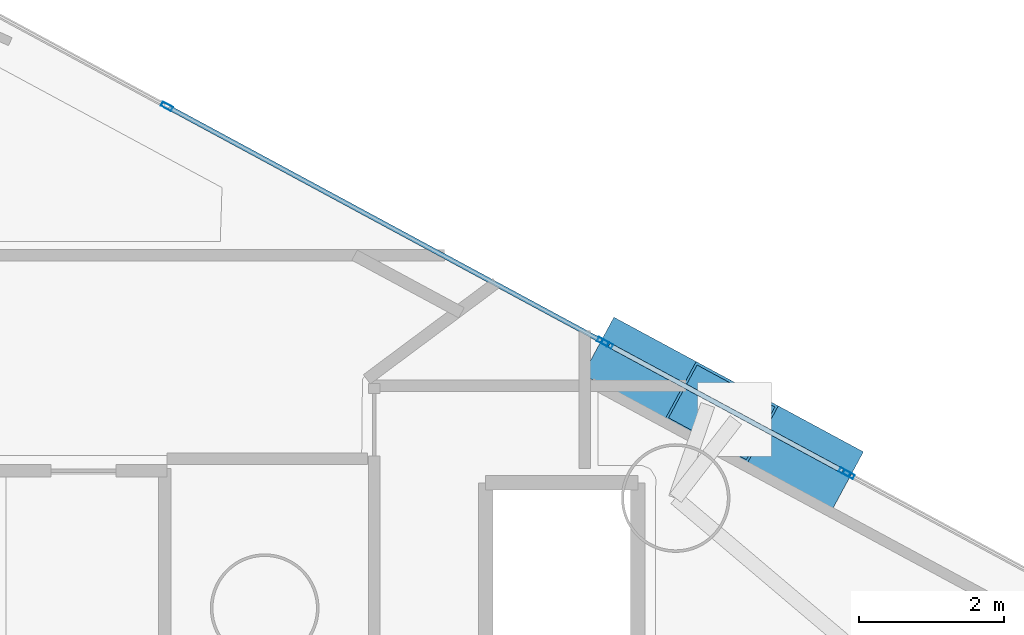
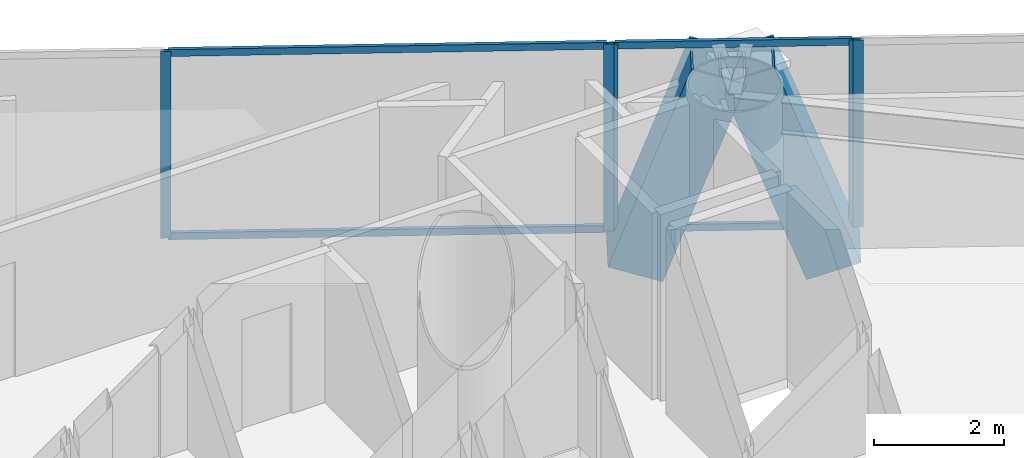
# One storey, part 11 of 21: 11 members, 3 elements without a shape of their own.
"""IFC4 building model written with IfcOpenShell, lengths in metres."""

from ifc_helpers import new_model, si_unit, direction, frame, origin, origin_2d, place, context, subcontext, project, spatial, hollow_rectangle, extrude, material, layer, layer_set, material_profile, profile_set, type_object, element, aggregate, save


model = new_model("IFC4")

# Units and contexts
model_context = context("Model", 3, precision=1e-05, world=origin(), true_north=direction((0.0, 1.0)))
body_context = subcontext(model_context, "Body", "Model", "MODEL_VIEW")
ifc_project = project(units=[si_unit("LENGTHUNIT", "METRE"), si_unit("AREAUNIT", "SQUARE_METRE"), si_unit("VOLUMEUNIT", "CUBIC_METRE"), si_unit("PLANEANGLEUNIT", "RADIAN"), si_unit("MASSUNIT", "GRAM", prefix="KILO")], contexts=[model_context])

# Site, building, storey
site_placement = place(None, origin())
site = spatial("IfcSite", under=ifc_project, at=site_placement, CompositionType="ELEMENT")
building_placement = place(site_placement, origin())
building = spatial("IfcBuilding", under=site, at=building_placement, Name="Qianvela Tower", CompositionType="ELEMENT")
storey_placement = place(building_placement, frame((0.0, 0.0, 127.39990234375)))
storey = spatial("IfcBuildingStorey", under=building, at=storey_placement, Name="L32", CompositionType="ELEMENT", Elevation=127.39990234375)

# Curtain wall, members
ifc_material_1 = material(Name="Anodised Architectural Aluminium and Insulated Spandrel Panel", Category="aluminium")
ifc_layer_1 = layer(ifc_material_1, 0.179931640625)
ifc_layer_set_1 = layer_set([ifc_layer_1], Name="Anodised Architectural Aluminium and Insulated Spandrel Panel")
curtain_wall_type_1 = type_object("IfcCurtainWallType", Name="CW-BRACEBAY", PredefinedType="USERDEFINED", material=ifc_layer_set_1)
curtain_wall_1_placement = place(storey_placement, origin())
curtain_wall_1 = element("IfcCurtainWall", 1, at=curtain_wall_1_placement, inside=storey, type_object=curtain_wall_type_1, Name="L32 CW-BRACEBAY Curtain Wall 02B", ObjectType="CURTAIN_WALL_SYSTEM", PredefinedType="USERDEFINED")
ifc_material_2 = material(Name="Anodised Architectural Aluminium 6063-T6", Category="aluminium")
ifc_material_profile_1 = material_profile(ifc_material_2, hollow_rectangle(XDim=0.06494140625, YDim=0.159912109375, WallThickness=0.0048828125, at=origin_2d()), Name="ALU-MULL-65x160")
ifc_profile_set_1 = profile_set([ifc_material_profile_1], Name="Anodised Architectural Aluminium 6063-T6")
member_type_1 = type_object("IfcMemberType", Name="CW-BRACEBAY-MULL", PredefinedType="MULLION", material=ifc_profile_set_1)
member_1_placement = place(storey_placement, frame((46.4033203125, 35.427978515625, 0.0), z_axis=(0.0, 0.0, 1.0), x_axis=(-0.474911518383, -0.88003355033, 0.0)))
member_1 = element("IfcMember", 2, at=member_1_placement, type_object=member_type_1, Name="CW-9 mullion 1", PredefinedType="MULLION", context=body_context, shape_type="SweptSolid", body=[
    extrude(hollow_rectangle(XDim=0.06494140625, YDim=0.159912109375, WallThickness=0.0048828125, at=origin_2d()), origin(), (0.0, 0.0, 1.0), 3.52001953125),
])
member_2_placement = place(storey_placement, frame((43.125, 37.197021484375, 0.0), z_axis=(0.0, 0.0, 1.0), x_axis=(-0.474911518383, -0.88003355033, 0.0)))
member_2 = element("IfcMember", 3, at=member_2_placement, type_object=member_type_1, Name="CW-9 mullion 2", PredefinedType="MULLION", context=body_context, shape_type="SweptSolid", body=[
    extrude(hollow_rectangle(XDim=0.06494140625, YDim=0.159912109375, WallThickness=0.0048828125, at=origin_2d()), origin(), (0.0, 0.0, 1.0), 3.52001953125),
])
ifc_material_3 = material(Name="Anodised Architectural Aluminium 6063-T6", Category="aluminium")
ifc_material_profile_2 = material_profile(ifc_material_3, hollow_rectangle(XDim=0.06494140625, YDim=0.1298828125, WallThickness=0.00439453125, at=origin_2d()), Name="ALU-TRAN-65x130")
ifc_profile_set_2 = profile_set([ifc_material_profile_2], Name="Anodised Architectural Aluminium 6063-T6")
member_type_2 = type_object("IfcMemberType", Name="CW-BRACEBAY-TRAN", PredefinedType="USERDEFINED", material=ifc_profile_set_2)
member_3_placement = place(storey_placement, frame((46.37451171875, 35.443359375, 0.03271484375), z_axis=(-0.880008010721, 0.474958841444, 0.0), x_axis=(-0.474958841444, -0.880008010721, 0.0)))
member_3 = element("IfcMember", 4, at=member_3_placement, type_object=member_type_2, Name="CW-9 transom 1.1", ObjectType="TRANSOM", PredefinedType="USERDEFINED", context=body_context, shape_type="SweptSolid", body=[
    extrude(hollow_rectangle(XDim=0.06494140625, YDim=0.1298828125, WallThickness=0.00439453125, at=origin_2d()), origin(), (0.0, 0.0, 1.0), 3.659912109375),
])
member_4_placement = place(storey_placement, frame((46.37451171875, 35.443359375, 3.487548828125), z_axis=(-0.880008010721, 0.474958841444, 0.0), x_axis=(-0.474958841444, -0.880008010721, 0.0)))
member_4 = element("IfcMember", 5, at=member_4_placement, type_object=member_type_2, Name="CW-9 transom 1.2", ObjectType="TRANSOM", PredefinedType="USERDEFINED", context=body_context, shape_type="SweptSolid", body=[
    extrude(hollow_rectangle(XDim=0.06494140625, YDim=0.1298828125, WallThickness=0.00439453125, at=origin_2d()), origin(), (0.0, 0.0, 1.0), 3.659912109375),
])
aggregate(curtain_wall_1, [member_1, member_2, member_3, member_4])

# Curtain wall, member
ifc_material_4 = material(Name="Anodised Architectural Aluminium and Low-E Glass", Category="aluminium")
ifc_layer_2 = layer(ifc_material_4, 0.169921875)
ifc_layer_set_2 = layer_set([ifc_layer_2], Name="Anodised Architectural Aluminium and Low-E Glass")
curtain_wall_type_2 = type_object("IfcCurtainWallType", Name="CW-COLIV-Z34", PredefinedType="USERDEFINED", material=ifc_layer_set_2)
curtain_wall_2_placement = place(storey_placement, origin())
curtain_wall_2 = element("IfcCurtainWall", 6, at=curtain_wall_2_placement, inside=storey, type_object=curtain_wall_type_2, Name="L32 CW-COLIV-Z34 Curtain Wall 02A", ObjectType="CURTAIN_WALL_SYSTEM", PredefinedType="USERDEFINED")
ifc_material_5 = material(Name="Anodised Architectural Aluminium 6063-T6", Category="aluminium")
ifc_material_profile_3 = material_profile(ifc_material_5, hollow_rectangle(XDim=0.06494140625, YDim=0.159912109375, WallThickness=0.0048828125, at=origin_2d()), Name="ALU-MULL-65x160")
ifc_profile_set_3 = profile_set([ifc_material_profile_3], Name="Anodised Architectural Aluminium 6063-T6")
member_type_3 = type_object("IfcMemberType", Name="CW-COLIV-Z34-MULL", PredefinedType="MULLION", material=ifc_profile_set_3)
member_5_placement = place(storey_placement, frame((46.46044921875, 35.39697265625, 0.0), z_axis=(0.0, 0.0, 1.0), x_axis=(-0.474902544841, -0.880038392858, 0.0)))
member_5 = element("IfcMember", 7, at=member_5_placement, type_object=member_type_3, Name="CW-4 mullion 3", PredefinedType="MULLION", context=body_context, shape_type="SweptSolid", body=[
    extrude(hollow_rectangle(XDim=0.06494140625, YDim=0.159912109375, WallThickness=0.0048828125, at=origin_2d()), origin(), (0.0, 0.0, 1.0), 3.52001953125),
])
aggregate(curtain_wall_2, [member_5])

# Curtain wall, members
curtain_wall_3_placement = place(storey_placement, origin())
curtain_wall_3 = element("IfcCurtainWall", 8, at=curtain_wall_3_placement, inside=storey, type_object=curtain_wall_type_2, Name="L32 CW-COLIV-Z34 Curtain Wall 02C", ObjectType="CURTAIN_WALL_SYSTEM", PredefinedType="USERDEFINED")
member_6_placement = place(storey_placement, frame((43.06787109375, 37.227783203125, 0.0), z_axis=(0.0, 0.0, 1.0), x_axis=(-0.47490576918, -0.880036652873, 0.0)))
member_6 = element("IfcMember", 9, at=member_6_placement, type_object=member_type_3, Name="CW-4 mullion 1", PredefinedType="MULLION", context=body_context, shape_type="SweptSolid", body=[
    extrude(hollow_rectangle(XDim=0.06494140625, YDim=0.159912109375, WallThickness=0.0048828125, at=origin_2d()), origin(), (0.0, 0.0, 1.0), 3.52001953125),
])
member_7_placement = place(storey_placement, frame((37.048828125, 40.47607421875, 0.0), z_axis=(0.0, 0.0, 1.0), x_axis=(-0.47490576918, -0.880036652873, 0.0)))
member_7 = element("IfcMember", 10, at=member_7_placement, type_object=member_type_3, Name="CW-4 mullion 2", PredefinedType="MULLION", context=body_context, shape_type="SweptSolid", body=[
    extrude(hollow_rectangle(XDim=0.06494140625, YDim=0.159912109375, WallThickness=0.0048828125, at=origin_2d()), origin(), (0.0, 0.0, 1.0), 3.52001953125),
])
ifc_material_6 = material(Name="Anodised Architectural Aluminium 6063-T6", Category="aluminium")
ifc_material_profile_4 = material_profile(ifc_material_6, hollow_rectangle(XDim=0.06494140625, YDim=0.1298828125, WallThickness=0.00439453125, at=origin_2d()), Name="ALU-TRAN-65x130")
ifc_profile_set_4 = profile_set([ifc_material_profile_4], Name="Anodised Architectural Aluminium 6063-T6")
member_type_4 = type_object("IfcMemberType", Name="CW-COLIV-Z34-TRAN", PredefinedType="USERDEFINED", material=ifc_profile_set_4)
member_8_placement = place(storey_placement, frame((43.039306640625, 37.2431640625, 0.03271484375), z_axis=(-0.880037951375, 0.474903362949, 0.0), x_axis=(-0.474903362949, -0.880037951375, 0.0)))
member_8 = element("IfcMember", 11, at=member_8_placement, type_object=member_type_4, Name="CW-4 transom 1.1", ObjectType="TRANSOM", PredefinedType="USERDEFINED", context=body_context, shape_type="SweptSolid", body=[
    extrude(hollow_rectangle(XDim=0.06494140625, YDim=0.1298828125, WallThickness=0.00439453125, at=origin_2d()), origin(), (0.0, 0.0, 1.0), 6.774658203125),
])
member_9_placement = place(storey_placement, frame((43.039306640625, 37.2431640625, 3.487548828125), z_axis=(-0.880037951375, 0.474903362949, 0.0), x_axis=(-0.474903362949, -0.880037951375, 0.0)))
member_9 = element("IfcMember", 12, at=member_9_placement, type_object=member_type_4, Name="CW-4 transom 1.2", ObjectType="TRANSOM", PredefinedType="USERDEFINED", context=body_context, shape_type="SweptSolid", body=[
    extrude(hollow_rectangle(XDim=0.06494140625, YDim=0.1298828125, WallThickness=0.00439453125, at=origin_2d()), origin(), (0.0, 0.0, 1.0), 6.774658203125),
])
aggregate(curtain_wall_3, [member_6, member_7, member_8, member_9])

# Members
ifc_material_7 = material(Name="Steel Q420GJC", Category="steel")
ifc_material_profile_5 = material_profile(ifc_material_7, hollow_rectangle(XDim=0.89990234375, YDim=0.89990234375, WallThickness=0.035888671875, at=origin_2d()), Name="MBOX-900x900x36")
ifc_profile_set_5 = profile_set([ifc_material_profile_5], Name="Steel Q420GJC")
member_type_5 = type_object("IfcMemberType", Name="MBR-MBRACE-900", PredefinedType="BRACE", material=ifc_profile_set_5)
member_10_placement = place(storey_placement, frame((46.0771484375, 35.512939453125, -0.48193359375), z_axis=(-0.298726021744, 0.161248743921, 0.940617672871), x_axis=(-0.475004520461, -0.879983355264, 0.0)))
element("IfcMember", 13, at=member_10_placement, inside=storey, type_object=member_type_5, Name="L32 Tier 5 Exterior Mega-Brace F1A", PredefinedType="BRACE", context=body_context, shape_type="SweptSolid", body=[
    extrude(hollow_rectangle(XDim=0.89990234375, YDim=0.89990234375, WallThickness=0.035888671875, at=origin_2d()), origin(), (0.0, 0.0, 1.0), 3.93359375),
])
member_11_placement = place(storey_placement, frame((43.380126953125, 36.968505859375, -0.48193359375), z_axis=(0.289611593231, -0.156332936191, 0.944290812265), x_axis=(0.475014054609, 0.879978208778, 0.0)))
element("IfcMember", 14, at=member_11_placement, inside=storey, type_object=member_type_5, Name="L32 Tier 5 Exterior Mega-Brace F1B", PredefinedType="BRACE", context=body_context, shape_type="SweptSolid", body=[
    extrude(hollow_rectangle(XDim=0.89990234375, YDim=0.89990234375, WallThickness=0.035888671875, at=origin_2d()), origin(), (0.0, 0.0, 1.0), 3.918212890625),
])

save(model, "model.ifc")
